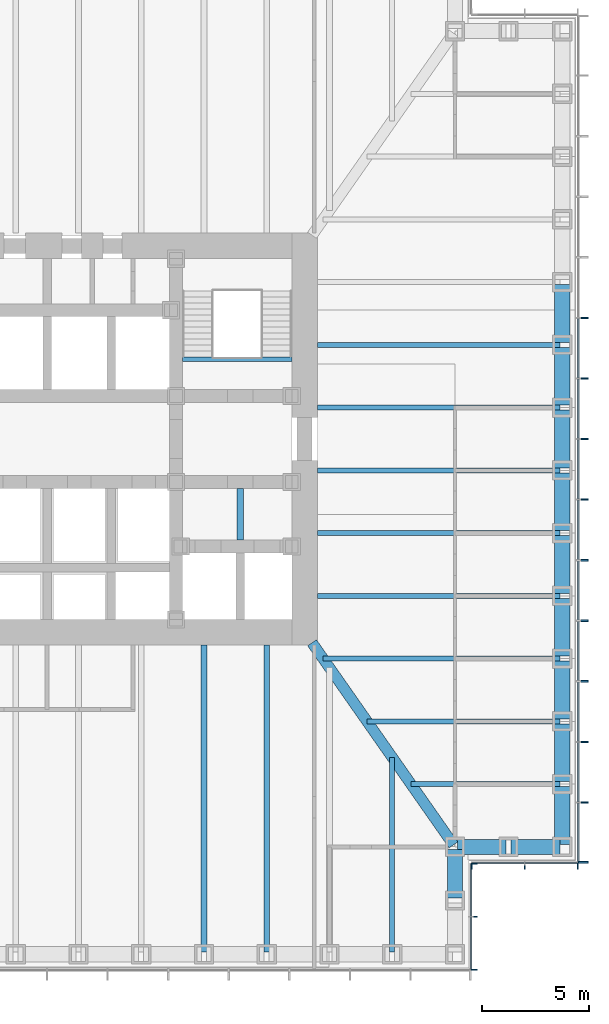
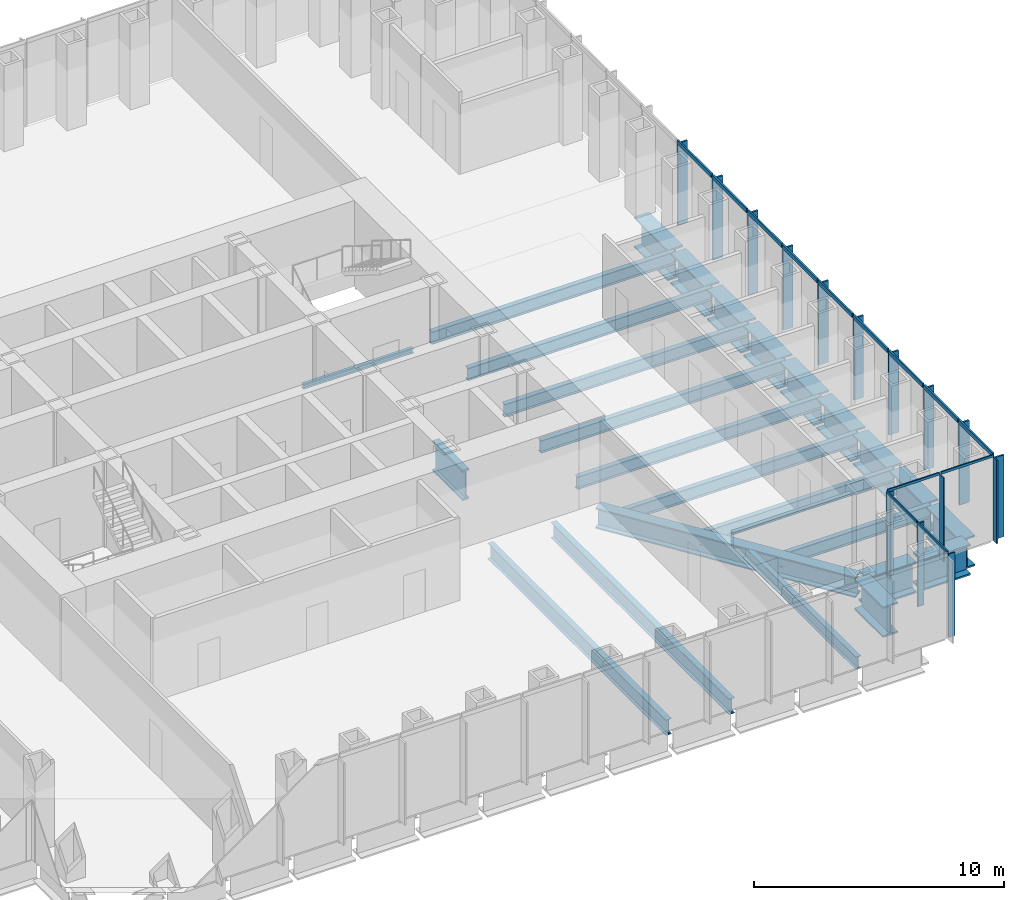
# One storey, part 4 of 16: 29 members, 26 beams, 3 elements without a shape of their own.
"""IFC4 building model written with IfcOpenShell, lengths in metres."""

from ifc_helpers import new_model, si_unit, direction, frame, origin, origin_2d, place, context, subcontext, project, spatial, rectangle, i_section, extrude, material, material_profile, profile_set, type_object, element, aggregate, save


model = new_model("IFC4")

# Units and contexts
model_context = context("Model", 3, precision=1e-05, world=origin(), true_north=direction((0.0, 1.0)))
body_context = subcontext(model_context, "Body", "Model", "MODEL_VIEW")
ifc_project = project(units=[si_unit("LENGTHUNIT", "METRE"), si_unit("AREAUNIT", "SQUARE_METRE"), si_unit("VOLUMEUNIT", "CUBIC_METRE"), si_unit("PLANEANGLEUNIT", "RADIAN"), si_unit("MASSUNIT", "GRAM", prefix="KILO")], contexts=[model_context])

# Site, building, storey
site_placement = place(None, origin())
site = spatial("IfcSite", under=ifc_project, at=site_placement, CompositionType="ELEMENT")
building_placement = place(site_placement, origin())
building = spatial("IfcBuilding", under=site, at=building_placement, Name="Daluyong Arena Tower", CompositionType="ELEMENT")
storey_placement = place(building_placement, frame((0.0, 0.0, 72.699951171875)))
storey = spatial("IfcBuildingStorey", under=building, at=storey_placement, Name="L15", CompositionType="ELEMENT", Elevation=72.699951171875)

# Curtain wall, members
ifc_material_1 = material(Name="Bronze anodised aluminium and glass", Category="aluminium")
curtain_wall_type_1 = type_object("IfcCurtainWallType", Name="Curtain wall CW1", PredefinedType="USERDEFINED", material=ifc_material_1)
curtain_wall_1_placement = place(storey_placement, origin())
curtain_wall_1 = element("IfcCurtainWall", 1, at=curtain_wall_1_placement, inside=storey, type_object=curtain_wall_type_1, Name="curtain wall L15 E", ObjectType="UNITISED CURTAIN WALL", PredefinedType="USERDEFINED")
ifc_material_2 = material(Name="Bronze anodised aluminium fin", Category="aluminium")
ifc_material_profile_1 = material_profile(ifc_material_2, rectangle(XDim=0.449951171875, YDim=0.080078125, at=origin_2d()))
ifc_profile_set_1 = profile_set([ifc_material_profile_1], Name="Bronze anodised aluminium fin")
member_type_1 = type_object("IfcMemberType", Name="CW1 bronze fin 450x80", PredefinedType="MULLION", material=ifc_profile_set_1)
member_1_placement = place(storey_placement, frame((80.97509765625, 60.2900390625, 0.0), z_axis=(0.0, 0.0, 1.0), x_axis=(-1.0, 0.0, 0.0)))
member_1 = element("IfcMember", 2, at=member_1_placement, type_object=member_type_1, Name="curtain wall L15 E fin 1", PredefinedType="MULLION", context=body_context, shape_type="SweptSolid", body=[
    extrude(rectangle(XDim=0.449951171875, YDim=0.080078125, at=origin_2d()), origin(), (0.0, 0.0, 1.0), 4.0),
])
member_2_placement = place(storey_placement, frame((80.97509765625, 63.071533203125, 0.0), z_axis=(0.0, 0.0, 1.0), x_axis=(-1.0, 0.0, 0.0)))
member_2 = element("IfcMember", 3, at=member_2_placement, type_object=member_type_1, Name="curtain wall L15 E fin 2", PredefinedType="MULLION", context=body_context, shape_type="SweptSolid", body=[
    extrude(rectangle(XDim=0.449951171875, YDim=0.080078125, at=origin_2d()), origin(), (0.0, 0.0, 1.0), 4.0),
])
member_3_placement = place(storey_placement, frame((80.97509765625, 65.892822265625, 0.0), z_axis=(0.0, 0.0, 1.0), x_axis=(-1.0, 0.0, 0.0)))
member_3 = element("IfcMember", 4, at=member_3_placement, type_object=member_type_1, Name="curtain wall L15 E fin 3", PredefinedType="MULLION", context=body_context, shape_type="SweptSolid", body=[
    extrude(rectangle(XDim=0.449951171875, YDim=0.080078125, at=origin_2d()), origin(), (0.0, 0.0, 1.0), 4.0),
])
member_4_placement = place(storey_placement, frame((80.97509765625, 68.71435546875, 0.0), z_axis=(0.0, 0.0, 1.0), x_axis=(-1.0, 0.0, 0.0)))
member_4 = element("IfcMember", 5, at=member_4_placement, type_object=member_type_1, Name="curtain wall L15 E fin 4", PredefinedType="MULLION", context=body_context, shape_type="SweptSolid", body=[
    extrude(rectangle(XDim=0.449951171875, YDim=0.080078125, at=origin_2d()), origin(), (0.0, 0.0, 1.0), 4.0),
])
member_5_placement = place(storey_placement, frame((80.97509765625, 71.53564453125, 0.0), z_axis=(0.0, 0.0, 1.0), x_axis=(-1.0, 0.0, 0.0)))
member_5 = element("IfcMember", 6, at=member_5_placement, type_object=member_type_1, Name="curtain wall L15 E fin 5", PredefinedType="MULLION", context=body_context, shape_type="SweptSolid", body=[
    extrude(rectangle(XDim=0.449951171875, YDim=0.080078125, at=origin_2d()), origin(), (0.0, 0.0, 1.0), 4.0),
])
member_6_placement = place(storey_placement, frame((80.97509765625, 74.357177734375, 0.0), z_axis=(0.0, 0.0, 1.0), x_axis=(-1.0, 0.0, 0.0)))
member_6 = element("IfcMember", 7, at=member_6_placement, type_object=member_type_1, Name="curtain wall L15 E fin 6", PredefinedType="MULLION", context=body_context, shape_type="SweptSolid", body=[
    extrude(rectangle(XDim=0.449951171875, YDim=0.080078125, at=origin_2d()), origin(), (0.0, 0.0, 1.0), 4.0),
])
member_7_placement = place(storey_placement, frame((80.97509765625, 77.178466796875, 0.0), z_axis=(0.0, 0.0, 1.0), x_axis=(-1.0, 0.0, 0.0)))
member_7 = element("IfcMember", 8, at=member_7_placement, type_object=member_type_1, Name="curtain wall L15 E fin 7", PredefinedType="MULLION", context=body_context, shape_type="SweptSolid", body=[
    extrude(rectangle(XDim=0.449951171875, YDim=0.080078125, at=origin_2d()), origin(), (0.0, 0.0, 1.0), 4.0),
])
member_8_placement = place(storey_placement, frame((80.97509765625, 80.0, 0.0), z_axis=(0.0, 0.0, 1.0), x_axis=(-1.0, 0.0, 0.0)))
member_8 = element("IfcMember", 9, at=member_8_placement, type_object=member_type_1, Name="curtain wall L15 E fin 8", PredefinedType="MULLION", context=body_context, shape_type="SweptSolid", body=[
    extrude(rectangle(XDim=0.449951171875, YDim=0.080078125, at=origin_2d()), origin(), (0.0, 0.0, 1.0), 4.0),
])
member_9_placement = place(storey_placement, frame((80.97509765625, 82.821533203125, 0.0), z_axis=(0.0, 0.0, 1.0), x_axis=(-1.0, 0.0, 0.0)))
member_9 = element("IfcMember", 10, at=member_9_placement, type_object=member_type_1, Name="curtain wall L15 E fin 9", PredefinedType="MULLION", context=body_context, shape_type="SweptSolid", body=[
    extrude(rectangle(XDim=0.449951171875, YDim=0.080078125, at=origin_2d()), origin(), (0.0, 0.0, 1.0), 4.0),
])
member_10_placement = place(storey_placement, frame((80.97509765625, 85.642822265625, 0.0), z_axis=(0.0, 0.0, 1.0), x_axis=(-1.0, 0.0, 0.0)))
member_10 = element("IfcMember", 11, at=member_10_placement, type_object=member_type_1, Name="curtain wall L15 E fin 10", PredefinedType="MULLION", context=body_context, shape_type="SweptSolid", body=[
    extrude(rectangle(XDim=0.449951171875, YDim=0.080078125, at=origin_2d()), origin(), (0.0, 0.0, 1.0), 4.0),
])
ifc_material_3 = material(Name="Bronze anodised aluminium", Category="aluminium")
ifc_material_profile_2 = material_profile(ifc_material_3, rectangle(XDim=0.080078125, YDim=0.199951171875, at=origin_2d()))
ifc_profile_set_2 = profile_set([ifc_material_profile_2], Name="Bronze anodised aluminium")
member_type_2 = type_object("IfcMemberType", Name="CW1 stack transom 200x80", PredefinedType="USERDEFINED", material=ifc_profile_set_2)
member_11_placement = place(storey_placement, frame((80.75, 60.330078125, 4.10009765625), z_axis=(0.0, 1.0, 0.0), x_axis=(-1.0, 0.0, 0.0)))
member_11 = element("IfcMember", 12, at=member_11_placement, type_object=member_type_2, Name="curtain wall L15 E transom 1", ObjectType="TRANSOM", PredefinedType="USERDEFINED", context=body_context, shape_type="SweptSolid", body=[
    extrude(rectangle(XDim=0.080078125, YDim=0.199951171875, at=origin_2d()), origin(), (0.0, 0.0, 1.0), 2.701416015625),
])
member_12_placement = place(storey_placement, frame((80.75, 63.111328125, 4.10009765625), z_axis=(0.0, 1.0, 0.0), x_axis=(-1.0, 0.0, 0.0)))
member_12 = element("IfcMember", 13, at=member_12_placement, type_object=member_type_2, Name="curtain wall L15 E transom 2", ObjectType="TRANSOM", PredefinedType="USERDEFINED", context=body_context, shape_type="SweptSolid", body=[
    extrude(rectangle(XDim=0.080078125, YDim=0.199951171875, at=origin_2d()), origin(), (0.0, 0.0, 1.0), 2.741455078125),
])
member_13_placement = place(storey_placement, frame((80.75, 65.932861328125, 4.10009765625), z_axis=(0.0, 1.0, 0.0), x_axis=(-1.0, 0.0, 0.0)))
member_13 = element("IfcMember", 14, at=member_13_placement, type_object=member_type_2, Name="curtain wall L15 E transom 3", ObjectType="TRANSOM", PredefinedType="USERDEFINED", context=body_context, shape_type="SweptSolid", body=[
    extrude(rectangle(XDim=0.080078125, YDim=0.199951171875, at=origin_2d()), origin(), (0.0, 0.0, 1.0), 2.741455078125),
])
member_14_placement = place(storey_placement, frame((80.75, 68.75439453125, 4.10009765625), z_axis=(0.0, 1.0, 0.0), x_axis=(-1.0, 0.0, 0.0)))
member_14 = element("IfcMember", 15, at=member_14_placement, type_object=member_type_2, Name="curtain wall L15 E transom 4", ObjectType="TRANSOM", PredefinedType="USERDEFINED", context=body_context, shape_type="SweptSolid", body=[
    extrude(rectangle(XDim=0.080078125, YDim=0.199951171875, at=origin_2d()), origin(), (0.0, 0.0, 1.0), 2.7412109375),
])
member_15_placement = place(storey_placement, frame((80.75, 71.57568359375, 4.10009765625), z_axis=(0.0, 1.0, 0.0), x_axis=(-1.0, 0.0, 0.0)))
member_15 = element("IfcMember", 16, at=member_15_placement, type_object=member_type_2, Name="curtain wall L15 E transom 5", ObjectType="TRANSOM", PredefinedType="USERDEFINED", context=body_context, shape_type="SweptSolid", body=[
    extrude(rectangle(XDim=0.080078125, YDim=0.199951171875, at=origin_2d()), origin(), (0.0, 0.0, 1.0), 2.741455078125),
])
member_16_placement = place(storey_placement, frame((80.75, 74.397216796875, 4.10009765625), z_axis=(0.0, 1.0, 0.0), x_axis=(-1.0, 0.0, 0.0)))
member_16 = element("IfcMember", 17, at=member_16_placement, type_object=member_type_2, Name="curtain wall L15 E transom 6", ObjectType="TRANSOM", PredefinedType="USERDEFINED", context=body_context, shape_type="SweptSolid", body=[
    extrude(rectangle(XDim=0.080078125, YDim=0.199951171875, at=origin_2d()), origin(), (0.0, 0.0, 1.0), 2.741455078125),
])
member_17_placement = place(storey_placement, frame((80.75, 77.218505859375, 4.10009765625), z_axis=(0.0, 1.0, 0.0), x_axis=(-1.0, 0.0, 0.0)))
member_17 = element("IfcMember", 18, at=member_17_placement, type_object=member_type_2, Name="curtain wall L15 E transom 7", ObjectType="TRANSOM", PredefinedType="USERDEFINED", context=body_context, shape_type="SweptSolid", body=[
    extrude(rectangle(XDim=0.080078125, YDim=0.199951171875, at=origin_2d()), origin(), (0.0, 0.0, 1.0), 2.741455078125),
])
member_18_placement = place(storey_placement, frame((80.75, 80.0400390625, 4.10009765625), z_axis=(0.0, 1.0, 0.0), x_axis=(-1.0, 0.0, 0.0)))
member_18 = element("IfcMember", 19, at=member_18_placement, type_object=member_type_2, Name="curtain wall L15 E transom 8", ObjectType="TRANSOM", PredefinedType="USERDEFINED", context=body_context, shape_type="SweptSolid", body=[
    extrude(rectangle(XDim=0.080078125, YDim=0.199951171875, at=origin_2d()), origin(), (0.0, 0.0, 1.0), 2.741455078125),
])
member_19_placement = place(storey_placement, frame((80.75, 82.861328125, 4.10009765625), z_axis=(0.0, 1.0, 0.0), x_axis=(-1.0, 0.0, 0.0)))
member_19 = element("IfcMember", 20, at=member_19_placement, type_object=member_type_2, Name="curtain wall L15 E transom 9", ObjectType="TRANSOM", PredefinedType="USERDEFINED", context=body_context, shape_type="SweptSolid", body=[
    extrude(rectangle(XDim=0.080078125, YDim=0.199951171875, at=origin_2d()), origin(), (0.0, 0.0, 1.0), 2.741455078125),
])
aggregate(curtain_wall_1, [member_1, member_2, member_3, member_4, member_5, member_6, member_7, member_8, member_9, member_10, member_11, member_12, member_13, member_14, member_15, member_16, member_17, member_18, member_19])

ifc_material_4 = material(Name="Bronze anodised aluminium and glass", Category="aluminium")
curtain_wall_type_2 = type_object("IfcCurtainWallType", Name="Curtain wall CW7", PredefinedType="USERDEFINED", material=ifc_material_4)
curtain_wall_2_placement = place(storey_placement, origin())
curtain_wall_2 = element("IfcCurtainWall", 21, at=curtain_wall_2_placement, inside=storey, type_object=curtain_wall_type_2, Name="curtain wall L15 SE-E", ObjectType="UNITISED CURTAIN WALL", PredefinedType="USERDEFINED")
ifc_material_5 = material(Name="Bronze anodised aluminium fin", Category="aluminium")
ifc_material_profile_3 = material_profile(ifc_material_5, rectangle(XDim=0.300048828125, YDim=0.06005859375, at=origin_2d()))
ifc_profile_set_3 = profile_set([ifc_material_profile_3], Name="Bronze anodised aluminium fin")
member_type_3 = type_object("IfcMemberType", Name="CW7 bronze fin 300x60", PredefinedType="MULLION", material=ifc_profile_set_3)
member_20_placement = place(storey_placement, frame((75.89990234375, 55.280029296875, 0.0), z_axis=(0.0, 0.0, 1.0), x_axis=(-1.0, 0.0, 0.0)))
member_20 = element("IfcMember", 22, at=member_20_placement, type_object=member_type_3, Name="curtain wall L15 SE-E fin 1", PredefinedType="MULLION", context=body_context, shape_type="SweptSolid", body=[
    extrude(rectangle(XDim=0.300048828125, YDim=0.06005859375, at=origin_2d()), origin(), (0.0, 0.0, 1.0), 4.080078125),
])
member_21_placement = place(storey_placement, frame((75.89990234375, 57.75, 0.0), z_axis=(0.0, 0.0, 1.0), x_axis=(-1.0, 0.0, 0.0)))
member_21 = element("IfcMember", 23, at=member_21_placement, type_object=member_type_3, Name="curtain wall L15 SE-E fin 2", PredefinedType="MULLION", context=body_context, shape_type="SweptSolid", body=[
    extrude(rectangle(XDim=0.300048828125, YDim=0.06005859375, at=origin_2d()), origin(), (0.0, 0.0, 1.0), 4.080078125),
])
member_22_placement = place(storey_placement, frame((75.89990234375, 60.219970703125, 0.0), z_axis=(0.0, 0.0, 1.0), x_axis=(-1.0, 0.0, 0.0)))
member_22 = element("IfcMember", 24, at=member_22_placement, type_object=member_type_3, Name="curtain wall L15 SE-E fin 3", PredefinedType="MULLION", context=body_context, shape_type="SweptSolid", body=[
    extrude(rectangle(XDim=0.300048828125, YDim=0.06005859375, at=origin_2d()), origin(), (0.0, 0.0, 1.0), 4.080078125),
])

curtain_wall_3_placement = place(storey_placement, origin())
curtain_wall_3 = element("IfcCurtainWall", 25, at=curtain_wall_3_placement, inside=storey, type_object=curtain_wall_type_2, Name="curtain wall L15 SE-S", ObjectType="UNITISED CURTAIN WALL", PredefinedType="USERDEFINED")
member_23_placement = place(storey_placement, frame((75.780029296875, 60.10009765625, 0.0), z_axis=(0.0, 0.0, 1.0), x_axis=(0.0, 1.0, 0.0)))
member_23 = element("IfcMember", 26, at=member_23_placement, type_object=member_type_3, Name="curtain wall L15 SE-S fin 1", PredefinedType="MULLION", context=body_context, shape_type="SweptSolid", body=[
    extrude(rectangle(XDim=0.300048828125, YDim=0.06005859375, at=origin_2d()), origin(), (0.0, 0.0, 1.0), 4.080078125),
])
member_24_placement = place(storey_placement, frame((78.25, 60.10009765625, 0.0), z_axis=(0.0, 0.0, 1.0), x_axis=(0.0, 1.0, 0.0)))
member_24 = element("IfcMember", 27, at=member_24_placement, type_object=member_type_3, Name="curtain wall L15 SE-S fin 2", PredefinedType="MULLION", context=body_context, shape_type="SweptSolid", body=[
    extrude(rectangle(XDim=0.300048828125, YDim=0.06005859375, at=origin_2d()), origin(), (0.0, 0.0, 1.0), 4.080078125),
])
member_25_placement = place(storey_placement, frame((80.719970703125, 60.10009765625, 0.0), z_axis=(0.0, 0.0, 1.0), x_axis=(0.0, 1.0, 0.0)))
member_25 = element("IfcMember", 28, at=member_25_placement, type_object=member_type_3, Name="curtain wall L15 SE-S fin 3", PredefinedType="MULLION", context=body_context, shape_type="SweptSolid", body=[
    extrude(rectangle(XDim=0.300048828125, YDim=0.06005859375, at=origin_2d()), origin(), (0.0, 0.0, 1.0), 4.080078125),
])

# Member
ifc_material_6 = material(Name="Bronze anodised aluminium", Category="aluminium")
ifc_material_profile_4 = material_profile(ifc_material_6, rectangle(XDim=0.06005859375, YDim=0.1201171875, at=origin_2d()))
ifc_profile_set_4 = profile_set([ifc_material_profile_4], Name="Bronze anodised aluminium")
member_type_4 = type_object("IfcMemberType", Name="CW7 stack transom 120x60", PredefinedType="USERDEFINED", material=ifc_profile_set_4)
member_26_placement = place(storey_placement, frame((75.75, 55.31005859375, 4.14013671875), z_axis=(0.0, 1.0, 0.0), x_axis=(-1.0, 0.0, 0.0)))
member_26 = element("IfcMember", 29, at=member_26_placement, type_object=member_type_4, Name="curtain wall L15 SE-E transom 1", ObjectType="TRANSOM", PredefinedType="USERDEFINED", context=body_context, shape_type="SweptSolid", body=[
    extrude(rectangle(XDim=0.06005859375, YDim=0.1201171875, at=origin_2d()), origin(), (0.0, 0.0, 1.0), 2.409912109375),
])

member_27_placement = place(storey_placement, frame((75.75, 57.780029296875, 4.14013671875), z_axis=(0.0, 1.0, 0.0), x_axis=(-1.0, 0.0, 0.0)))
member_27 = element("IfcMember", 30, at=member_27_placement, type_object=member_type_4, Name="curtain wall L15 SE-E transom 2", ObjectType="TRANSOM", PredefinedType="USERDEFINED", context=body_context, shape_type="SweptSolid", body=[
    extrude(rectangle(XDim=0.06005859375, YDim=0.1201171875, at=origin_2d()), origin(), (0.0, 0.0, 1.0), 2.409912109375),
])

aggregate(curtain_wall_2, [member_20, member_21, member_22, member_26, member_27])

member_28_placement = place(storey_placement, frame((75.81005859375, 60.25, 4.14013671875), z_axis=(1.0, 0.0, 0.0), x_axis=(0.0, 1.0, 0.0)))
member_28 = element("IfcMember", 31, at=member_28_placement, type_object=member_type_4, Name="curtain wall L15 SE-S transom 1", ObjectType="TRANSOM", PredefinedType="USERDEFINED", context=body_context, shape_type="SweptSolid", body=[
    extrude(rectangle(XDim=0.06005859375, YDim=0.1201171875, at=origin_2d()), origin(), (0.0, 0.0, 1.0), 2.409912109375),
])

member_29_placement = place(storey_placement, frame((78.280029296875, 60.25, 4.14013671875), z_axis=(1.0, 0.0, 0.0), x_axis=(0.0, 1.0, 0.0)))
member_29 = element("IfcMember", 32, at=member_29_placement, type_object=member_type_4, Name="curtain wall L15 SE-S transom 2", ObjectType="TRANSOM", PredefinedType="USERDEFINED", context=body_context, shape_type="SweptSolid", body=[
    extrude(rectangle(XDim=0.06005859375, YDim=0.1201171875, at=origin_2d()), origin(), (0.0, 0.0, 1.0), 2.409912109375),
])

aggregate(curtain_wall_3, [member_23, member_24, member_25, member_28, member_29])

# Beams
ifc_material_7 = material(Name="Steel ASTM A572 Grade 50", Category="steel")
ifc_material_profile_5 = material_profile(ifc_material_7, i_section(OverallWidth=0.5, OverallDepth=1.0, WebThickness=0.03, FlangeThickness=0.06, at=origin_2d()))
ifc_profile_set_5 = profile_set([ifc_material_profile_5], Name="Steel ASTM A572 Grade 50")
beam_type_1 = type_object("IfcBeamType", Name="Corner girder TB1000X500", PredefinedType="BEAM", material=ifc_profile_set_5)
beam_1_placement = place(storey_placement, frame((74.93408203125, 61.09423828125, -0.659912109375), z_axis=(-0.573466621875, 0.819228926244, 0.0), x_axis=(-0.819228926244, -0.573466621875, 0.0)))
element("IfcBeam", 33, at=beam_1_placement, inside=storey, type_object=beam_type_1, Name="corner girder DG2", PredefinedType="BEAM", context=body_context, shape_type="SweptSolid", body=[
    extrude(i_section(OverallWidth=0.5, OverallDepth=1.0, WebThickness=0.03, FlangeThickness=0.06, at=origin_2d()), origin(), (0.0, 0.0, 1.0), 11.49169921875),
])
ifc_material_8 = material(Name="Steel ASTM A992 Grade 50", Category="steel")
ifc_material_profile_6 = material_profile(ifc_material_8, i_section(OverallWidth=0.22900390625, OverallDepth=0.612060546875, WebThickness=0.011962890625, FlangeThickness=0.01953125, at=origin_2d()))
ifc_profile_set_6 = profile_set([ifc_material_profile_6], Name="Steel ASTM A992 Grade 50")
beam_type_2 = type_object("IfcBeamType", Name="Floor beam W24X84", PredefinedType="BEAM", material=ifc_profile_set_6)
beam_2_placement = place(storey_placement, frame((72.076904296875, 56.114990234375, -0.466064453125), z_axis=(0.0, 1.0, 0.0), x_axis=(-1.0, 0.0, 0.0)))
element("IfcBeam", 34, at=beam_2_placement, inside=storey, type_object=beam_type_2, Name="floor beam FB3", PredefinedType="BEAM", context=body_context, shape_type="SweptSolid", body=[
    extrude(i_section(OverallWidth=0.22900390625, OverallDepth=0.612060546875, WebThickness=0.011962890625, FlangeThickness=0.01953125, at=origin_2d()), origin(), (0.0, 0.0, 1.0), 9.060791015625),
])
beam_3_placement = place(storey_placement, frame((79.885009765625, 63.923095703125, -0.466064453125), z_axis=(-1.0, 0.0, 0.0), x_axis=(0.0, -1.0, 0.0)))
element("IfcBeam", 35, at=beam_3_placement, inside=storey, type_object=beam_type_2, Name="floor beam FB3", PredefinedType="BEAM", context=body_context, shape_type="SweptSolid", body=[
    extrude(i_section(OverallWidth=0.22900390625, OverallDepth=0.612060546875, WebThickness=0.011962890625, FlangeThickness=0.01953125, at=origin_2d()), origin(), (0.0, 0.0, 1.0), 6.93115234375),
])
beam_4_placement = place(storey_placement, frame((79.885009765625, 66.84619140625, -0.466064453125), z_axis=(-1.0, 0.0, 0.0), x_axis=(0.0, -1.0, 0.0)))
element("IfcBeam", 36, at=beam_4_placement, inside=storey, type_object=beam_type_2, Name="floor beam FB3", PredefinedType="BEAM", context=body_context, shape_type="SweptSolid", body=[
    extrude(i_section(OverallWidth=0.22900390625, OverallDepth=0.612060546875, WebThickness=0.011962890625, FlangeThickness=0.01953125, at=origin_2d()), origin(), (0.0, 0.0, 1.0), 8.977294921875),
])
beam_5_placement = place(storey_placement, frame((79.885009765625, 69.769287109375, -0.466064453125), z_axis=(-1.0, 0.0, 0.0), x_axis=(0.0, -1.0, 0.0)))
element("IfcBeam", 37, at=beam_5_placement, inside=storey, type_object=beam_type_2, Name="floor beam FB3", PredefinedType="BEAM", context=body_context, shape_type="SweptSolid", body=[
    extrude(i_section(OverallWidth=0.22900390625, OverallDepth=0.612060546875, WebThickness=0.011962890625, FlangeThickness=0.01953125, at=origin_2d()), origin(), (0.0, 0.0, 1.0), 11.0234375),
])
for number, where, z_axis, x_axis, name in (
    (38, (79.885009765625, 72.6923828125, -0.466064453125), (-1.0, 0.0, 0.0), (0.0, -1.0, 0.0), "floor beam FB3"),
    (39, (79.885009765625, 75.615478515625, -0.466064453125), (-1.0, 0.0, 0.0), (0.0, -1.0, 0.0), "floor beam FB3"),
    (40, (79.885009765625, 78.53857421875, -0.466064453125), (-1.0, 0.0, 0.0), (0.0, -1.0, 0.0), "floor beam FB3"),
    (41, (79.885009765625, 81.46142578125, -0.466064453125), (-1.0, 0.0, 0.0), (0.0, -1.0, 0.0), "floor beam FB3"),
    (42, (79.885009765625, 84.384521484375, -0.466064453125), (-1.0, 0.0, 0.0), (0.0, -1.0, 0.0), "floor beam FB3"),
):
    element("IfcBeam", number, at=place(storey_placement, frame(where, z_axis=z_axis, x_axis=x_axis)), inside=storey, type_object=beam_type_2, Name=name, PredefinedType="BEAM", context=body_context, shape_type="SweptSolid", body=[
        extrude(i_section(OverallWidth=0.22900390625, OverallDepth=0.612060546875, WebThickness=0.011962890625, FlangeThickness=0.01953125, at=origin_2d()), origin(), (0.0, 0.0, 1.0), 11.284912109375),
    ])
ifc_material_9 = material(Name="Steel ASTM A992 Grade 50", Category="steel")
ifc_material_profile_7 = material_profile(ifc_material_9, i_section(OverallWidth=0.2666015625, OverallDepth=0.761962890625, WebThickness=0.014404296875, FlangeThickness=0.021484375, at=origin_2d()))
ifc_profile_set_7 = profile_set([ifc_material_profile_7], Name="Steel ASTM A992 Grade 50")
beam_type_3 = type_object("IfcBeamType", Name="Floor beam W30X116", PredefinedType="BEAM", material=ifc_profile_set_7)
for number, where, z_axis, x_axis, name in (
    (43, (63.3076171875, 56.114990234375, -0.541015625), (0.0, 1.0, 0.0), (-1.0, 0.0, 0.0), "floor beam FB4"),
    (44, (66.230712890625, 56.114990234375, -0.541015625), (0.0, 1.0, 0.0), (-1.0, 0.0, 0.0), "floor beam FB4"),
):
    element("IfcBeam", number, at=place(storey_placement, frame(where, z_axis=z_axis, x_axis=x_axis)), inside=storey, type_object=beam_type_3, Name=name, PredefinedType="BEAM", context=body_context, shape_type="SweptSolid", body=[
        extrude(i_section(OverallWidth=0.2666015625, OverallDepth=0.761962890625, WebThickness=0.014404296875, FlangeThickness=0.021484375, at=origin_2d()), origin(), (0.0, 0.0, 1.0), 14.284912109375),
    ])
ifc_material_10 = material(Name="Steel ASTM A572 Grade 50", Category="steel")
ifc_material_profile_8 = material_profile(ifc_material_10, i_section(OverallWidth=0.300048828125, OverallDepth=1.5, WebThickness=0.04, FlangeThickness=0.1, at=origin_2d()))
ifc_profile_set_8 = profile_set([ifc_material_profile_8], Name="Steel ASTM A572 Grade 50")
beam_type_4 = type_object("IfcBeamType", Name="Lift divider beam PG1500X300", PredefinedType="BEAM", material=ifc_profile_set_8)
beam_6_placement = place(storey_placement, frame((65.0, 75.300048828125, -0.909912109375), z_axis=(0.0, 1.0, 0.0), x_axis=(-1.0, 0.0, 0.0)))
element("IfcBeam", 45, at=beam_6_placement, inside=storey, type_object=beam_type_4, Name="lift divider beam DB2", PredefinedType="BEAM", context=body_context, shape_type="SweptSolid", body=[
    extrude(i_section(OverallWidth=0.300048828125, OverallDepth=1.5, WebThickness=0.04, FlangeThickness=0.1, at=origin_2d()), origin(), (0.0, 0.0, 1.0), 2.39990234375),
])
ifc_material_11 = material(Name="Steel ASTM A572 Grade 50", Category="steel")
ifc_material_profile_9 = material_profile(ifc_material_11, i_section(OverallWidth=0.699951171875, OverallDepth=1.5, WebThickness=0.04, FlangeThickness=0.08, at=origin_2d()))
ifc_profile_set_9 = profile_set([ifc_material_profile_9], Name="Steel ASTM A572 Grade 50")
beam_type_5 = type_object("IfcBeamType", Name="Spandrel Z1 PG1500X700", PredefinedType="SPANDREL", material=ifc_profile_set_9)
for number, where, z_axis, x_axis, name in (
    (46, (75.0, 58.614990234375, -0.909912109375), (0.0, 1.0, 0.0), (-1.0, 0.0, 0.0), "spandrel z1 SB4"),
    (47, (75.114990234375, 61.0, -0.909912109375), (1.0, 0.0, 0.0), (0.0, 1.0, 0.0), "spandrel z1 SB4"),
    (48, (77.614990234375, 61.0, -0.909912109375), (1.0, 0.0, 0.0), (0.0, 1.0, 0.0), "spandrel z1 SB4"),
):
    element("IfcBeam", number, at=place(storey_placement, frame(where, z_axis=z_axis, x_axis=x_axis)), inside=storey, type_object=beam_type_5, Name=name, PredefinedType="SPANDREL", context=body_context, shape_type="SweptSolid", body=[
        extrude(i_section(OverallWidth=0.699951171875, OverallDepth=1.5, WebThickness=0.04, FlangeThickness=0.08, at=origin_2d()), origin(), (0.0, 0.0, 1.0), 2.27001953125),
    ])
for number, where, z_axis, x_axis, name in (
    (49, (80.0, 61.114990234375, -0.909912109375), (0.0, 1.0, 0.0), (-1.0, 0.0, 0.0), "spandrel z1 SB4"),
    (50, (80.0, 64.0380859375, -0.909912109375), (0.0, 1.0, 0.0), (-1.0, 0.0, 0.0), "spandrel z1 SB4"),
    (51, (80.0, 66.961181640625, -0.909912109375), (0.0, 1.0, 0.0), (-1.0, 0.0, 0.0), "spandrel z1 SB4"),
    (52, (80.0, 69.88427734375, -0.909912109375), (0.0, 1.0, 0.0), (-1.0, 0.0, 0.0), "spandrel z1 SB4"),
    (53, (80.0, 72.807373046875, -0.909912109375), (0.0, 1.0, 0.0), (-1.0, 0.0, 0.0), "spandrel z1 SB4"),
    (54, (80.0, 75.73046875, -0.909912109375), (0.0, 1.0, 0.0), (-1.0, 0.0, 0.0), "spandrel z1 SB4"),
):
    element("IfcBeam", number, at=place(storey_placement, frame(where, z_axis=z_axis, x_axis=x_axis)), inside=storey, type_object=beam_type_5, Name=name, PredefinedType="SPANDREL", context=body_context, shape_type="SweptSolid", body=[
        extrude(i_section(OverallWidth=0.699951171875, OverallDepth=1.5, WebThickness=0.04, FlangeThickness=0.08, at=origin_2d()), origin(), (0.0, 0.0, 1.0), 2.693115234375),
    ])
beam_7_placement = place(storey_placement, frame((80.0, 78.653564453125, -0.909912109375), z_axis=(0.0, 1.0, 0.0), x_axis=(-1.0, 0.0, 0.0)))
element("IfcBeam", 55, at=beam_7_placement, inside=storey, type_object=beam_type_5, Name="spandrel z1 SB4", PredefinedType="SPANDREL", context=body_context, shape_type="SweptSolid", body=[
    extrude(i_section(OverallWidth=0.699951171875, OverallDepth=1.5, WebThickness=0.04, FlangeThickness=0.08, at=origin_2d()), origin(), (0.0, 0.0, 1.0), 2.69287109375),
])
for number, where, z_axis, x_axis, name in (
    (56, (80.0, 81.576416015625, -0.909912109375), (0.0, 1.0, 0.0), (-1.0, 0.0, 0.0), "spandrel z1 SB4"),
    (57, (80.0, 84.49951171875, -0.909912109375), (0.0, 1.0, 0.0), (-1.0, 0.0, 0.0), "spandrel z1 SB4"),
):
    element("IfcBeam", number, at=place(storey_placement, frame(where, z_axis=z_axis, x_axis=x_axis)), inside=storey, type_object=beam_type_5, Name=name, PredefinedType="SPANDREL", context=body_context, shape_type="SweptSolid", body=[
        extrude(i_section(OverallWidth=0.699951171875, OverallDepth=1.5, WebThickness=0.04, FlangeThickness=0.08, at=origin_2d()), origin(), (0.0, 0.0, 1.0), 2.693115234375),
    ])
ifc_material_12 = material(Name="Steel ASTM A992 Grade 50", Category="steel")
ifc_material_profile_10 = material_profile(ifc_material_12, i_section(OverallWidth=0.203125, OverallDepth=0.203125, WebThickness=0.00732421875, FlangeThickness=0.010986328125, at=origin_2d()))
ifc_profile_set_10 = profile_set([ifc_material_profile_10], Name="Steel ASTM A992 Grade 50")
beam_type_6 = type_object("IfcBeamType", Name="Stair landing beam W8X31", PredefinedType="BEAM", material=ifc_profile_set_10)
beam_8_placement = place(storey_placement, frame((62.300048828125, 83.723388671875, -0.261474609375), z_axis=(1.0, 0.0, 0.0), x_axis=(0.0, 1.0, 0.0)))
element("IfcBeam", 58, at=beam_8_placement, inside=storey, type_object=beam_type_6, Name="exit stair B landing beam", PredefinedType="BEAM", context=body_context, shape_type="SweptSolid", body=[
    extrude(i_section(OverallWidth=0.203125, OverallDepth=0.203125, WebThickness=0.00732421875, FlangeThickness=0.010986328125, at=origin_2d()), origin(), (0.0, 0.0, 1.0), 5.099853515625),
])

save(model, "model.ifc")
